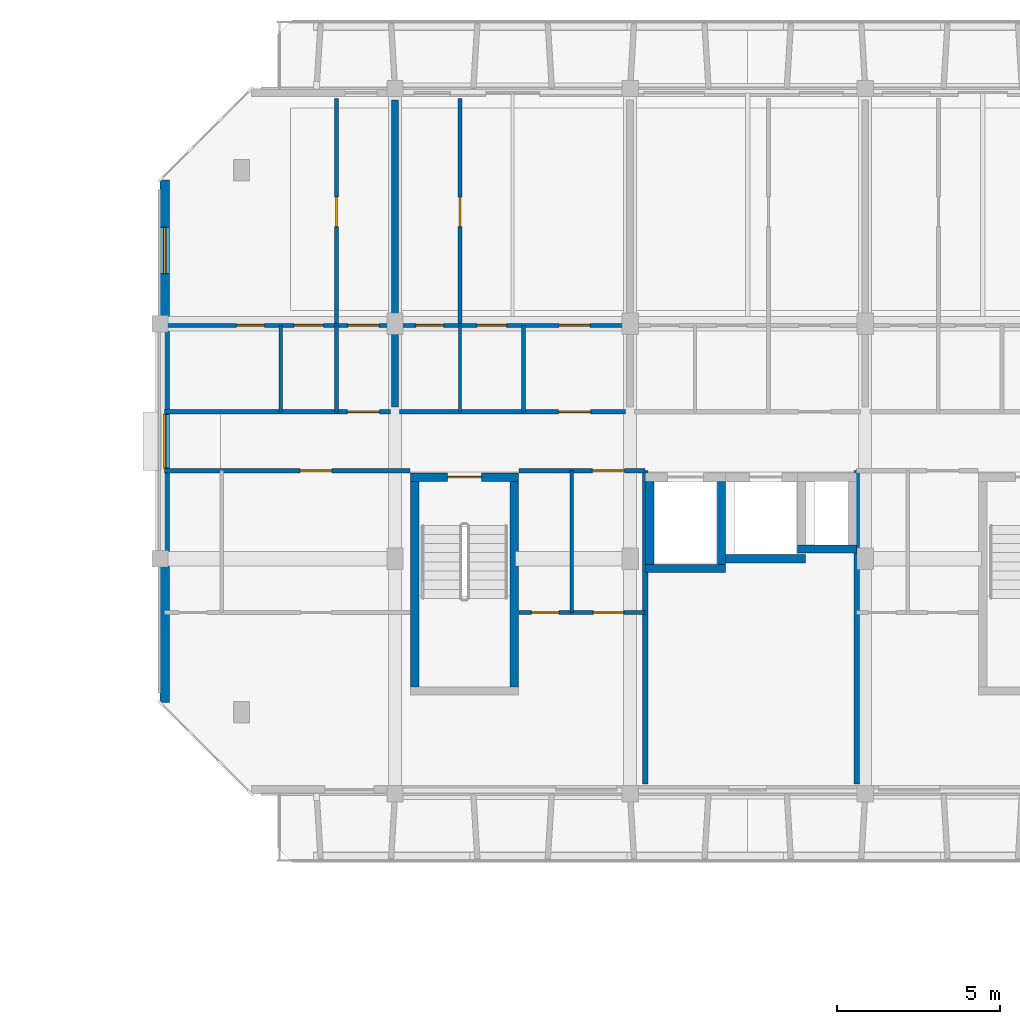
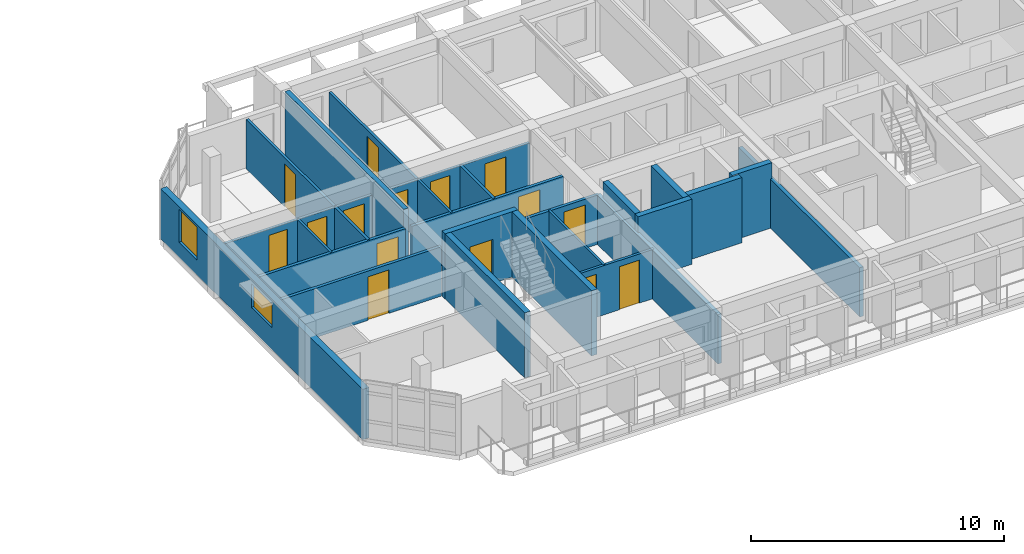
# One storey, part 26 of 40: 26 walls, 15 doors, 2 windows, 17 openings.
"""IFC4 building model written with IfcOpenShell, lengths in metres."""

from ifc_helpers import new_model, si_unit, direction, frame, frame_2d, origin, place, context, subcontext, project, spatial, rectangle, extrude, material, layer, layer_set, type_object, element, fill, save


model = new_model("IFC4")

# Units and contexts
model_context = context("Model", 3, precision=1e-05, world=origin(), true_north=direction((0.0, 1.0)))
body_context = subcontext(model_context, "Body", "Model", "MODEL_VIEW")
ifc_project = project(units=[si_unit("LENGTHUNIT", "METRE"), si_unit("AREAUNIT", "SQUARE_METRE"), si_unit("VOLUMEUNIT", "CUBIC_METRE"), si_unit("PLANEANGLEUNIT", "RADIAN"), si_unit("MASSUNIT", "GRAM", prefix="KILO")], contexts=[model_context])

# Site, building, storey
site_placement = place(None, origin())
site = spatial("IfcSite", under=ifc_project, at=site_placement, CompositionType="ELEMENT")
building_placement = place(site_placement, origin())
building = spatial("IfcBuilding", under=site, at=building_placement, Name="Ochrevale Crest", CompositionType="ELEMENT")
storey_placement = place(building_placement, frame((0.0, 0.0, 27.60009765625)))
storey = spatial("IfcBuildingStorey", under=building, at=storey_placement, Name="L08", CompositionType="ELEMENT", Elevation=27.60009765625)

# Wall, opening, door
ifc_material_1 = material(Name="Gypsum plasterboard", Category="gypsum")
ifc_layer_1 = layer(ifc_material_1, 0.139892578125)
ifc_layer_set_1 = layer_set([ifc_layer_1], Name="Gypsum plasterboard")
wall_type_1 = type_object("IfcWallType", Name="WL-COR-140", PredefinedType="PARTITIONING", material=ifc_layer_set_1)
wall_1_placement = place(storey_placement, frame((129.739990234375, 83.699951171875, 0.0), z_axis=(0.0, 0.0, 1.0), x_axis=(1.0, 0.0, 0.0)))
wall_1 = element("IfcWall", 1, at=wall_1_placement, inside=storey, type_object=wall_type_1, Name="Apartment D-L08-U1 corridor wall", PredefinedType="PARTITIONING", context=body_context, shape_type="SweptSolid", body=[
    extrude(rectangle(XDim=6.919921875, YDim=0.139892578125, at=frame_2d((3.4599609375, 0.0))), origin(), (0.0, 0.0, 1.0), 2.3798828125),
])
opening_1_placement = place(wall_1_placement, frame((6.5849609375, 0.0, 0.0), z_axis=(0.0, 0.0, 1.0), x_axis=(-1.0, 0.0, 0.0)))
opening_1 = element("IfcOpeningElement", 2, at=opening_1_placement, cuts=wall_1, Name="Opening FD01", PredefinedType="OPENING", context=body_context, shape_type="SweptSolid", body=[
    extrude(rectangle(XDim=0.97998046875, YDim=2.10009765625, at=frame_2d((0.489990234375, 1.050048828125))), frame((0.0, 0.080078125, 0.0), z_axis=(0.0, -1.0, 0.0), x_axis=(1.0, 0.0, 0.0)), (0.0, 0.0, 1.0), 0.159912109375),
])
ifc_material_2 = material(Name="Solid-core FSC hardwood", Category="wood")
door_type_1 = type_object("IfcDoorType", Name="DR-APT-950", OperationType="NOTDEFINED", PredefinedType="DOOR", material=ifc_material_2)
door_1_placement = place(opening_1_placement, origin())
door_1 = element("IfcDoor", 3, at=door_1_placement, inside=storey, type_object=door_type_1, Name="Apartment D-L08-U1 entrance door", OperationType="SINGLE_SWING_RIGHT", OverallHeight=2.10009765625, OverallWidth=0.97998046875, PredefinedType="DOOR", context=body_context, shape_type="SweptSolid", body=[
    extrude(rectangle(XDim=0.97998046875, YDim=2.10009765625, at=frame_2d((0.489990234375, 1.050048828125))), frame((0.0, 0.02490234375, 0.0), z_axis=(0.0, -1.0, 0.0), x_axis=(1.0, 0.0, 0.0)), (0.0, 0.0, 1.0), 0.050048828125),
])
fill(opening_1, door_1)

wall_2_placement = place(storey_placement, frame((136.93994140625, 83.699951171875, 0.0), z_axis=(0.0, 0.0, 1.0), x_axis=(1.0, 0.0, 0.0)))
wall_2 = element("IfcWall", 4, at=wall_2_placement, inside=storey, type_object=wall_type_1, Name="Apartment D-L08-U2 corridor wall", PredefinedType="PARTITIONING", context=body_context, shape_type="SweptSolid", body=[
    extrude(rectangle(XDim=6.920166015625, YDim=0.139892578125, at=frame_2d((3.4599609375, 0.0))), origin(), (0.0, 0.0, 1.0), 2.3798828125),
])
opening_2_placement = place(wall_2_placement, frame((4.8701171875, 0.0, 0.0)))
opening_2 = element("IfcOpeningElement", 5, at=opening_2_placement, cuts=wall_2, Name="Opening FD01", PredefinedType="OPENING", context=body_context, shape_type="SweptSolid", body=[
    extrude(rectangle(XDim=0.97998046875, YDim=2.10009765625, at=frame_2d((0.489990234375, 1.050048828125))), frame((0.0, 0.080078125, 0.0), z_axis=(0.0, -1.0, 0.0), x_axis=(1.0, 0.0, 0.0)), (0.0, 0.0, 1.0), 0.159912109375),
])
door_2_placement = place(opening_2_placement, origin())
door_2 = element("IfcDoor", 6, at=door_2_placement, inside=storey, type_object=door_type_1, Name="Apartment D-L08-U2 entrance door", OperationType="SINGLE_SWING_LEFT", OverallHeight=2.10009765625, OverallWidth=0.97998046875, PredefinedType="DOOR", context=body_context, shape_type="SweptSolid", body=[
    extrude(rectangle(XDim=0.97998046875, YDim=2.10009765625, at=frame_2d((0.489990234375, 1.050048828125))), frame((0.0, 0.02490234375, 0.0), z_axis=(0.0, -1.0, 0.0), x_axis=(1.0, 0.0, 0.0)), (0.0, 0.0, 1.0), 0.050048828125),
])
fill(opening_2, door_2)

wall_3_placement = place(storey_placement, frame((129.739990234375, 81.89990234375, 0.0), z_axis=(0.0, 0.0, 1.0), x_axis=(1.0, 0.0, 0.0)))
wall_3 = element("IfcWall", 7, at=wall_3_placement, inside=storey, type_object=wall_type_1, Name="Suite D-L08-CW corridor wall", PredefinedType="PARTITIONING", context=body_context, shape_type="SweptSolid", body=[
    extrude(rectangle(XDim=7.52001953125, YDim=0.139892578125, at=frame_2d((3.760009765625, 0.0))), origin(), (0.0, 0.0, 1.0), 2.3798828125),
])
opening_3_placement = place(wall_3_placement, frame((4.14501953125, 0.0, 0.0)))
opening_3 = element("IfcOpeningElement", 8, at=opening_3_placement, cuts=wall_3, Name="Opening FD01", PredefinedType="OPENING", context=body_context, shape_type="SweptSolid", body=[
    extrude(rectangle(XDim=0.97998046875, YDim=2.10009765625, at=frame_2d((0.489990234375, 1.050048828125))), frame((0.0, 0.080078125, 0.0), z_axis=(0.0, -1.0, 0.0), x_axis=(1.0, 0.0, 0.0)), (0.0, 0.0, 1.0), 0.159912109375),
])
door_3_placement = place(opening_3_placement, origin())
door_3 = element("IfcDoor", 9, at=door_3_placement, inside=storey, type_object=door_type_1, Name="Suite D-L08-CW entrance door", OperationType="SINGLE_SWING_LEFT", OverallHeight=2.10009765625, OverallWidth=0.97998046875, PredefinedType="DOOR", context=body_context, shape_type="SweptSolid", body=[
    extrude(rectangle(XDim=0.97998046875, YDim=2.10009765625, at=frame_2d((0.489990234375, 1.050048828125))), frame((0.0, 0.02490234375, 0.0), z_axis=(0.0, -1.0, 0.0), x_axis=(1.0, 0.0, 0.0)), (0.0, 0.0, 1.0), 0.050048828125),
])
fill(opening_3, door_3)

wall_4_placement = place(storey_placement, frame((140.590087890625, 81.89990234375, 0.0), z_axis=(0.0, 0.0, 1.0), x_axis=(1.0, 0.0, 0.0)))
wall_4 = element("IfcWall", 10, at=wall_4_placement, inside=storey, type_object=wall_type_1, Name="Suite D-L08-MW corridor wall", PredefinedType="PARTITIONING", context=body_context, shape_type="SweptSolid", body=[
    extrude(rectangle(XDim=3.869873046875, YDim=0.139892578125, at=frame_2d((1.93505859375, 0.0))), origin(), (0.0, 0.0, 1.0), 2.3798828125),
])
opening_4_placement = place(wall_4_placement, frame((3.23779296875, 0.0, 0.0), z_axis=(0.0, 0.0, 1.0), x_axis=(-1.0, 0.0, 0.0)))
opening_4 = element("IfcOpeningElement", 11, at=opening_4_placement, cuts=wall_4, Name="Opening FD01", PredefinedType="OPENING", context=body_context, shape_type="SweptSolid", body=[
    extrude(rectangle(XDim=0.97998046875, YDim=2.10009765625, at=frame_2d((0.489990234375, 1.050048828125))), frame((0.0, 0.080078125, 0.0), z_axis=(0.0, -1.0, 0.0), x_axis=(1.0, 0.0, 0.0)), (0.0, 0.0, 1.0), 0.159912109375),
])
door_4_placement = place(opening_4_placement, origin())
door_4 = element("IfcDoor", 12, at=door_4_placement, inside=storey, type_object=door_type_1, Name="Suite D-L08-MW entrance door", OperationType="SINGLE_SWING_RIGHT", OverallHeight=2.10009765625, OverallWidth=0.97998046875, PredefinedType="DOOR", context=body_context, shape_type="SweptSolid", body=[
    extrude(rectangle(XDim=0.97998046875, YDim=2.10009765625, at=frame_2d((0.489990234375, 1.050048828125))), frame((0.0, 0.02490234375, 0.0), z_axis=(0.0, -1.0, 0.0), x_axis=(1.0, 0.0, 0.0)), (0.0, 0.0, 1.0), 0.050048828125),
])
fill(opening_4, door_4)

ifc_material_3 = material(Name="Precast concrete C50/60", Category="concrete")
ifc_layer_2 = layer(ifc_material_3, 0.2548828125)
ifc_layer_set_2 = layer_set([ifc_layer_2], Name="Precast concrete C50/60")
wall_type_2 = type_object("IfcWallType", Name="WL-CORE-255", PredefinedType="SHEAR", material=ifc_layer_set_2)
wall_5_placement = place(storey_placement, frame((137.2724609375, 81.699951171875, 0.0), z_axis=(0.0, 0.0, 1.0), x_axis=(1.0, 0.0, 0.0)))
wall_5 = element("IfcWall", 13, at=wall_5_placement, inside=storey, type_object=wall_type_2, Name="Block D L08 Stair 1 precast core shear wall N", PredefinedType="SHEAR", context=body_context, shape_type="SweptSolid", body=[
    extrude(rectangle(XDim=3.304931640625, YDim=0.2548828125, at=frame_2d((1.65234375, 0.0))), origin(), (0.0, 0.0, 1.0), 3.14990234375),
])
opening_5_placement = place(wall_5_placement, frame((2.177490234375, 0.0, 0.0), z_axis=(0.0, 0.0, 1.0), x_axis=(-1.0, 0.0, 0.0)))
opening_5 = element("IfcOpeningElement", 14, at=opening_5_placement, cuts=wall_5, Name="Opening FD03", PredefinedType="OPENING", context=body_context, shape_type="SweptSolid", body=[
    extrude(rectangle(XDim=1.050048828125, YDim=2.1201171875, at=frame_2d((0.52490234375, 1.06005859375))), frame((0.0, 0.137451171875, 0.0), z_axis=(0.0, -1.0, 0.0), x_axis=(1.0, 0.0, 0.0)), (0.0, 0.0, 1.0), 0.27490234375),
])
door_type_2 = type_object("IfcDoorType", Name="DR-ST-1050", OperationType="NOTDEFINED", PredefinedType="DOOR", material=ifc_material_2)
door_5_placement = place(opening_5_placement, origin())
door_5 = element("IfcDoor", 15, at=door_5_placement, inside=storey, type_object=door_type_2, Name="Block D L08 fire stair 1 door", OperationType="SINGLE_SWING_RIGHT", OverallHeight=2.1201171875, OverallWidth=1.050048828125, PredefinedType="DOOR", context=body_context, shape_type="SweptSolid", body=[
    extrude(rectangle(XDim=1.050048828125, YDim=2.1201171875, at=frame_2d((0.52490234375, 1.06005859375))), frame((0.0, 0.02490234375, 0.0), z_axis=(0.0, -1.0, 0.0), x_axis=(1.0, 0.0, 0.0)), (0.0, 0.0, 1.0), 0.050048828125),
])
fill(opening_5, door_5)

# Walls
for number, where, z_axis, x_axis, name in (
    (16, (137.39990234375, 75.277587890625, 0.0), (0.0, 0.0, 1.0), (0.0, 1.0, 0.0), "Block D L08 Stair 1 precast core shear wall W"),
    (17, (140.449951171875, 75.277587890625, 0.0), (0.0, 0.0, 1.0), (0.0, 1.0, 0.0), "Block D L08 Stair 1 precast core shear wall E"),
):
    element("IfcWall", number, at=place(storey_placement, frame(where, z_axis=z_axis, x_axis=x_axis)), inside=storey, type_object=wall_type_2, Name=name, PredefinedType="SHEAR", context=body_context, shape_type="SweptSolid", body=[
        extrude(rectangle(XDim=6.294921875, YDim=0.2548828125, at=frame_2d((3.1474609375, 0.0))), origin(), (0.0, 0.0, 1.0), 3.14990234375),
    ])
wall_6_placement = place(storey_placement, frame((144.472412109375, 78.89990234375, 0.0), z_axis=(0.0, 0.0, 1.0), x_axis=(1.0, 0.0, 0.0)))
element("IfcWall", 18, at=wall_6_placement, inside=storey, type_object=wall_type_2, Name="Block D L08 Lift 1 precast shaft shear wall S", PredefinedType="SHEAR", context=body_context, shape_type="SweptSolid", body=[
    extrude(rectangle(XDim=2.455078125, YDim=0.2548828125, at=frame_2d((1.2275390625, 0.0))), origin(), (0.0, 0.0, 1.0), 3.14990234375),
])
for number, where, z_axis, x_axis, name in (
    (19, (144.60009765625, 79.027587890625, 0.0), (0.0, 0.0, 1.0), (0.0, 1.0, 0.0), "Block D L08 Lift 1 precast shaft shear wall W"),
    (20, (146.800048828125, 79.027587890625, 0.0), (0.0, 0.0, 1.0), (0.0, 1.0, 0.0), "Block D L08 Lift 1 precast shaft shear wall E"),
):
    element("IfcWall", number, at=place(storey_placement, frame(where, z_axis=z_axis, x_axis=x_axis)), inside=storey, type_object=wall_type_2, Name=name, PredefinedType="SHEAR", context=body_context, shape_type="SweptSolid", body=[
        extrude(rectangle(XDim=2.544921875, YDim=0.2548828125, at=frame_2d((1.2724609375, 0.0))), origin(), (0.0, 0.0, 1.0), 3.14990234375),
    ])
wall_7_placement = place(storey_placement, frame((146.922607421875, 79.199951171875, 0.0), z_axis=(0.0, 0.0, 1.0), x_axis=(1.0, 0.0, 0.0)))
element("IfcWall", 21, at=wall_7_placement, inside=storey, type_object=wall_type_2, Name="Block D L08 Lift 2 precast shaft shear wall S", PredefinedType="SHEAR", context=body_context, shape_type="SweptSolid", body=[
    extrude(rectangle(XDim=2.454833984375, YDim=0.2548828125, at=frame_2d((1.2275390625, 0.0))), origin(), (0.0, 0.0, 1.0), 3.14990234375),
])
wall_8_placement = place(storey_placement, frame((149.12255859375, 79.5, 0.0), z_axis=(0.0, 0.0, 1.0), x_axis=(1.0, 0.0, 0.0)))
element("IfcWall", 22, at=wall_8_placement, inside=storey, type_object=wall_type_2, Name="Block D L08 services riser shaft core wall S", PredefinedType="SHEAR", context=body_context, shape_type="SweptSolid", body=[
    extrude(rectangle(XDim=1.804931640625, YDim=0.2548828125, at=frame_2d((0.90234375, 0.0))), origin(), (0.0, 0.0, 1.0), 3.14990234375),
])

# Wall, openings, windows
ifc_material_4 = material(Name="Clay face brickwork", Category="masonry")
ifc_layer_3 = layer(ifc_material_4, 0.2900390625)
ifc_layer_set_3 = layer_set([ifc_layer_3], Name="Clay face brickwork")
wall_type_3 = type_object("IfcWallType", Name="WL-EXT-BRICK-290", PredefinedType="SOLIDWALL", material=ifc_layer_set_3)
wall_9_placement = place(storey_placement, frame((129.7451171875, 90.800048828125, 0.0), z_axis=(0.0, 0.0, 1.0), x_axis=(0.0, -1.0, 0.0)))
wall_9 = element("IfcWall", 23, at=wall_9_placement, inside=storey, type_object=wall_type_3, Name="Block D L08 external facade wall E7", PredefinedType="SOLIDWALL", context=body_context, shape_type="SweptSolid", body=[
    extrude(rectangle(XDim=16.0, YDim=0.2900390625, at=frame_2d((8.0, 0.0))), origin(), (0.0, 0.0, 1.0), 2.429931640625),
])
opening_6_placement = place(wall_9_placement, frame((7.175048828125, 0.0, 1.050048828125)))
opening_6 = element("IfcOpeningElement", 24, at=opening_6_placement, cuts=wall_9, Name="Opening W19", PredefinedType="OPENING", context=body_context, shape_type="SweptSolid", body=[
    extrude(rectangle(XDim=1.64990234375, YDim=1.14990234375, at=frame_2d((0.824951171875, 0.574951171875))), frame((0.0, 0.155029296875, 0.0), z_axis=(0.0, -1.0, 0.0), x_axis=(1.0, 0.0, 0.0)), (0.0, 0.0, 1.0), 0.31005859375),
])
opening_7_placement = place(wall_9_placement, frame((1.449951171875, 0.0, 0.719970703125)))
opening_7 = element("IfcOpeningElement", 25, at=opening_7_placement, cuts=wall_9, Name="Opening W31", PredefinedType="OPENING", context=body_context, shape_type="SweptSolid", body=[
    extrude(rectangle(XDim=1.419921875, YDim=1.60009765625, at=frame_2d((0.7099609375, 0.800048828125))), frame((0.0, 0.155029296875, 0.0), z_axis=(0.0, -1.0, 0.0), x_axis=(1.0, 0.0, 0.0)), (0.0, 0.0, 1.0), 0.31005859375),
])
ifc_material_5 = material(Name="Anodised aluminium 6063-T5 and low-E double glazing", Category="aluminium")
window_type_1 = type_object("IfcWindowType", Name="WIN-W19", PartitioningType="SINGLE_PANEL", PredefinedType="WINDOW", material=ifc_material_5)
window_1_placement = place(opening_6_placement, origin())
window_1 = element("IfcWindow", 26, at=window_1_placement, inside=storey, type_object=window_type_1, Name="Block D L08 corridor end daylight window W", OverallHeight=1.14990234375, OverallWidth=1.64990234375, PartitioningType="SINGLE_PANEL", PredefinedType="WINDOW", context=body_context, shape_type="SweptSolid", body=[
    extrude(rectangle(XDim=1.64990234375, YDim=1.14990234375, at=frame_2d((0.824951171875, 0.574951171875))), frame((0.0, 0.030029296875, 0.0), z_axis=(0.0, -1.0, 0.0), x_axis=(1.0, 0.0, 0.0)), (0.0, 0.0, 1.0), 0.06005859375),
])
fill(opening_6, window_1)
window_type_2 = type_object("IfcWindowType", Name="WIN-W31", PartitioningType="SINGLE_PANEL", PredefinedType="WINDOW", material=ifc_material_5)
window_2_placement = place(opening_7_placement, origin())
window_2 = element("IfcWindow", 27, at=window_2_placement, inside=storey, type_object=window_type_2, Name="Block D L08 side suite window W", OverallHeight=1.60009765625, OverallWidth=1.419921875, PartitioningType="SINGLE_PANEL", PredefinedType="WINDOW", context=body_context, shape_type="SweptSolid", body=[
    extrude(rectangle(XDim=1.419921875, YDim=1.60009765625, at=frame_2d((0.7099609375, 0.800048828125))), frame((0.0, 0.030029296875, 0.0), z_axis=(0.0, -1.0, 0.0), x_axis=(1.0, 0.0, 0.0)), (0.0, 0.0, 1.0), 0.06005859375),
])
fill(opening_7, window_2)

# Wall
ifc_layer_4 = layer(ifc_material_1, 0.1201171875)
ifc_layer_set_4 = layer_set([ifc_layer_4], Name="Gypsum plasterboard")
wall_type_4 = type_object("IfcWallType", Name="WL-PART-120", PredefinedType="PARTITIONING", material=ifc_layer_set_4)
wall_10_placement = place(storey_placement, frame((135.010009765625, 83.699951171875, 0.0), z_axis=(0.0, 0.0, 1.0), x_axis=(0.0, 1.0, 0.0)))
element("IfcWall", 28, at=wall_10_placement, inside=storey, type_object=wall_type_4, Name="Apartment D-L08-U1 kitchen-foyer wall", PredefinedType="PARTITIONING", context=body_context, shape_type="SweptSolid", body=[
    extrude(rectangle(XDim=2.650146484375, YDim=0.1201171875, at=frame_2d((1.3251953125, 0.0))), origin(), (0.0, 0.0, 1.0), 2.3798828125),
])

# Wall, openings, doors
wall_11_placement = place(storey_placement, frame((129.739990234375, 86.35009765625, 0.0), z_axis=(0.0, 0.0, 1.0), x_axis=(1.0, 0.0, 0.0)))
wall_11 = element("IfcWall", 29, at=wall_11_placement, inside=storey, type_object=wall_type_4, Name="Apartment D-L08-U1 central partition", PredefinedType="PARTITIONING", context=body_context, shape_type="SweptSolid", body=[
    extrude(rectangle(XDim=6.919921875, YDim=0.1201171875, at=frame_2d((3.4599609375, 0.0))), origin(), (0.0, 0.0, 1.0), 2.3798828125),
])
opening_8_placement = place(wall_11_placement, frame((2.2099609375, 0.0, 0.0)))
opening_8 = element("IfcOpeningElement", 30, at=opening_8_placement, cuts=wall_11, Name="Opening ID01", PredefinedType="OPENING", context=body_context, shape_type="SweptSolid", body=[
    extrude(rectangle(XDim=0.85009765625, YDim=2.080078125, at=frame_2d((0.425048828125, 1.0400390625))), frame((0.0, 0.070068359375, 0.0), z_axis=(0.0, -1.0, 0.0), x_axis=(1.0, 0.0, 0.0)), (0.0, 0.0, 1.0), 0.14013671875),
])
opening_9_placement = place(wall_11_placement, frame((4.864990234375, 0.0, 0.0), z_axis=(0.0, 0.0, 1.0), x_axis=(-1.0, 0.0, 0.0)))
opening_9 = element("IfcOpeningElement", 31, at=opening_9_placement, cuts=wall_11, Name="Opening ID02", PredefinedType="OPENING", context=body_context, shape_type="SweptSolid", body=[
    extrude(rectangle(XDim=0.89990234375, YDim=2.080078125, at=frame_2d((0.449951171875, 1.0400390625))), frame((0.0, 0.070068359375, 0.0), z_axis=(0.0, -1.0, 0.0), x_axis=(1.0, 0.0, 0.0)), (0.0, 0.0, 1.0), 0.14013671875),
])
opening_10_placement = place(wall_11_placement, frame((5.6201171875, 0.0, 0.0)))
opening_10 = element("IfcOpeningElement", 32, at=opening_10_placement, cuts=wall_11, Name="Opening ID06", PredefinedType="OPENING", context=body_context, shape_type="SweptSolid", body=[
    extrude(rectangle(XDim=0.949951171875, YDim=2.080078125, at=frame_2d((0.47509765625, 1.0400390625))), frame((0.0, 0.070068359375, 0.0), z_axis=(0.0, -1.0, 0.0), x_axis=(1.0, 0.0, 0.0)), (0.0, 0.0, 1.0), 0.14013671875),
])
door_type_3 = type_object("IfcDoorType", Name="DR-INT-900", OperationType="NOTDEFINED", PredefinedType="DOOR", material=ifc_material_2)
door_6_placement = place(opening_9_placement, origin())
door_6 = element("IfcDoor", 33, at=door_6_placement, inside=storey, type_object=door_type_3, Name="Apartment D-L08-U1 Kitchen door", OperationType="SINGLE_SWING_RIGHT", OverallHeight=2.080078125, OverallWidth=0.89990234375, PredefinedType="DOOR", context=body_context, shape_type="SweptSolid", body=[
    extrude(rectangle(XDim=0.89990234375, YDim=2.080078125, at=frame_2d((0.449951171875, 1.0400390625))), frame((0.0, 0.02490234375, 0.0), z_axis=(0.0, -1.0, 0.0), x_axis=(1.0, 0.0, 0.0)), (0.0, 0.0, 1.0), 0.050048828125),
])
fill(opening_9, door_6)
door_type_4 = type_object("IfcDoorType", Name="DR-INT-950", OperationType="NOTDEFINED", PredefinedType="DOOR", material=ifc_material_2)
door_7_placement = place(opening_10_placement, origin())
door_7 = element("IfcDoor", 34, at=door_7_placement, inside=storey, type_object=door_type_4, Name="Apartment D-L08-U1 Living Foyer door", OperationType="SINGLE_SWING_LEFT", OverallHeight=2.080078125, OverallWidth=0.949951171875, PredefinedType="DOOR", context=body_context, shape_type="SweptSolid", body=[
    extrude(rectangle(XDim=0.949951171875, YDim=2.080078125, at=frame_2d((0.47509765625, 1.0400390625))), frame((0.0, 0.02490234375, 0.0), z_axis=(0.0, -1.0, 0.0), x_axis=(1.0, 0.0, 0.0)), (0.0, 0.0, 1.0), 0.050048828125),
])
fill(opening_10, door_7)
door_type_5 = type_object("IfcDoorType", Name="DR-WC-850", OperationType="NOTDEFINED", PredefinedType="DOOR", material=ifc_material_2)
door_8_placement = place(opening_8_placement, origin())
door_8 = element("IfcDoor", 35, at=door_8_placement, inside=storey, type_object=door_type_5, Name="Apartment D-L08-U1 Bathroom door", OperationType="SINGLE_SWING_LEFT", OverallHeight=2.080078125, OverallWidth=0.85009765625, PredefinedType="DOOR", context=body_context, shape_type="SweptSolid", body=[
    extrude(rectangle(XDim=0.85009765625, YDim=2.080078125, at=frame_2d((0.425048828125, 1.0400390625))), frame((0.0, 0.02490234375, 0.0), z_axis=(0.0, -1.0, 0.0), x_axis=(1.0, 0.0, 0.0)), (0.0, 0.0, 1.0), 0.050048828125),
])
fill(opening_8, door_8)

# Wall, opening, door
wall_12_placement = place(storey_placement, frame((135.010009765625, 86.35009765625, 0.0), z_axis=(0.0, 0.0, 1.0), x_axis=(0.0, 1.0, 0.0)))
wall_12 = element("IfcWall", 36, at=wall_12_placement, inside=storey, type_object=wall_type_4, Name="Apartment D-L08-U1 bedroom partition", PredefinedType="PARTITIONING", context=body_context, shape_type="SweptSolid", body=[
    extrude(rectangle(XDim=6.949951171875, YDim=0.1201171875, at=frame_2d((3.47509765625, 0.0))), origin(), (0.0, 0.0, 1.0), 2.3798828125),
])
opening_11_placement = place(wall_12_placement, frame((3.9248046875, 0.0, 0.0), z_axis=(0.0, 0.0, 1.0), x_axis=(-1.0, 0.0, 0.0)))
opening_11 = element("IfcOpeningElement", 37, at=opening_11_placement, cuts=wall_12, Name="Opening ID02", PredefinedType="OPENING", context=body_context, shape_type="SweptSolid", body=[
    extrude(rectangle(XDim=0.89990234375, YDim=2.080078125, at=frame_2d((0.449951171875, 1.0400390625))), frame((0.0, 0.070068359375, 0.0), z_axis=(0.0, -1.0, 0.0), x_axis=(1.0, 0.0, 0.0)), (0.0, 0.0, 1.0), 0.14013671875),
])
door_9_placement = place(opening_11_placement, origin())
door_9 = element("IfcDoor", 38, at=door_9_placement, inside=storey, type_object=door_type_3, Name="Apartment D-L08-U1 Twin Bedroom door", OperationType="SINGLE_SWING_RIGHT", OverallHeight=2.080078125, OverallWidth=0.89990234375, PredefinedType="DOOR", context=body_context, shape_type="SweptSolid", body=[
    extrude(rectangle(XDim=0.89990234375, YDim=2.080078125, at=frame_2d((0.449951171875, 1.0400390625))), frame((0.0, 0.02490234375, 0.0), z_axis=(0.0, -1.0, 0.0), x_axis=(1.0, 0.0, 0.0)), (0.0, 0.0, 1.0), 0.050048828125),
])
fill(opening_11, door_9)

# Wall
wall_13_placement = place(storey_placement, frame((140.739990234375, 83.699951171875, 0.0), z_axis=(0.0, 0.0, 1.0), x_axis=(0.0, 1.0, 0.0)))
element("IfcWall", 39, at=wall_13_placement, inside=storey, type_object=wall_type_4, Name="Apartment D-L08-U2 kitchen-foyer wall", PredefinedType="PARTITIONING", context=body_context, shape_type="SweptSolid", body=[
    extrude(rectangle(XDim=2.650146484375, YDim=0.1201171875, at=frame_2d((1.3251953125, 0.0))), origin(), (0.0, 0.0, 1.0), 2.3798828125),
])

# Wall, openings, doors
wall_14_placement = place(storey_placement, frame((136.93994140625, 86.35009765625, 0.0), z_axis=(0.0, 0.0, 1.0), x_axis=(1.0, 0.0, 0.0)))
wall_14 = element("IfcWall", 40, at=wall_14_placement, inside=storey, type_object=wall_type_4, Name="Apartment D-L08-U2 central partition", PredefinedType="PARTITIONING", context=body_context, shape_type="SweptSolid", body=[
    extrude(rectangle(XDim=6.920166015625, YDim=0.1201171875, at=frame_2d((3.4599609375, 0.0))), origin(), (0.0, 0.0, 1.0), 2.3798828125),
])
opening_12_placement = place(wall_14_placement, frame((1.35009765625, 0.0, 0.0), z_axis=(0.0, 0.0, 1.0), x_axis=(-1.0, 0.0, 0.0)))
opening_12 = element("IfcOpeningElement", 41, at=opening_12_placement, cuts=wall_14, Name="Opening ID01", PredefinedType="OPENING", context=body_context, shape_type="SweptSolid", body=[
    extrude(rectangle(XDim=0.85009765625, YDim=2.080078125, at=frame_2d((0.425048828125, 1.0400390625))), frame((0.0, 0.070068359375, 0.0), z_axis=(0.0, -1.0, 0.0), x_axis=(1.0, 0.0, 0.0)), (0.0, 0.0, 1.0), 0.14013671875),
])
opening_13_placement = place(wall_14_placement, frame((2.375, 0.0, 0.0)))
opening_13 = element("IfcOpeningElement", 42, at=opening_13_placement, cuts=wall_14, Name="Opening ID02", PredefinedType="OPENING", context=body_context, shape_type="SweptSolid", body=[
    extrude(rectangle(XDim=0.89990234375, YDim=2.080078125, at=frame_2d((0.449951171875, 1.0400390625))), frame((0.0, 0.070068359375, 0.0), z_axis=(0.0, -1.0, 0.0), x_axis=(1.0, 0.0, 0.0)), (0.0, 0.0, 1.0), 0.14013671875),
])
opening_14_placement = place(wall_14_placement, frame((5.8349609375, 0.0, 0.0), z_axis=(0.0, 0.0, 1.0), x_axis=(-1.0, 0.0, 0.0)))
opening_14 = element("IfcOpeningElement", 43, at=opening_14_placement, cuts=wall_14, Name="Opening ID06", PredefinedType="OPENING", context=body_context, shape_type="SweptSolid", body=[
    extrude(rectangle(XDim=0.949951171875, YDim=2.080078125, at=frame_2d((0.47509765625, 1.0400390625))), frame((0.0, 0.070068359375, 0.0), z_axis=(0.0, -1.0, 0.0), x_axis=(1.0, 0.0, 0.0)), (0.0, 0.0, 1.0), 0.14013671875),
])
door_10_placement = place(opening_13_placement, origin())
door_10 = element("IfcDoor", 44, at=door_10_placement, inside=storey, type_object=door_type_3, Name="Apartment D-L08-U2 Kitchen door", OperationType="SINGLE_SWING_LEFT", OverallHeight=2.080078125, OverallWidth=0.89990234375, PredefinedType="DOOR", context=body_context, shape_type="SweptSolid", body=[
    extrude(rectangle(XDim=0.89990234375, YDim=2.080078125, at=frame_2d((0.449951171875, 1.0400390625))), frame((0.0, 0.02490234375, 0.0), z_axis=(0.0, -1.0, 0.0), x_axis=(1.0, 0.0, 0.0)), (0.0, 0.0, 1.0), 0.050048828125),
])
fill(opening_13, door_10)
door_11_placement = place(opening_14_placement, origin())
door_11 = element("IfcDoor", 45, at=door_11_placement, inside=storey, type_object=door_type_4, Name="Apartment D-L08-U2 Living Foyer door", OperationType="SINGLE_SWING_RIGHT", OverallHeight=2.080078125, OverallWidth=0.949951171875, PredefinedType="DOOR", context=body_context, shape_type="SweptSolid", body=[
    extrude(rectangle(XDim=0.949951171875, YDim=2.080078125, at=frame_2d((0.47509765625, 1.0400390625))), frame((0.0, 0.02490234375, 0.0), z_axis=(0.0, -1.0, 0.0), x_axis=(1.0, 0.0, 0.0)), (0.0, 0.0, 1.0), 0.050048828125),
])
fill(opening_14, door_11)
door_12_placement = place(opening_12_placement, origin())
door_12 = element("IfcDoor", 46, at=door_12_placement, inside=storey, type_object=door_type_5, Name="Apartment D-L08-U2 Bathroom door", OperationType="SINGLE_SWING_RIGHT", OverallHeight=2.080078125, OverallWidth=0.85009765625, PredefinedType="DOOR", context=body_context, shape_type="SweptSolid", body=[
    extrude(rectangle(XDim=0.85009765625, YDim=2.080078125, at=frame_2d((0.425048828125, 1.0400390625))), frame((0.0, 0.02490234375, 0.0), z_axis=(0.0, -1.0, 0.0), x_axis=(1.0, 0.0, 0.0)), (0.0, 0.0, 1.0), 0.050048828125),
])
fill(opening_12, door_12)

# Wall, opening, door
wall_15_placement = place(storey_placement, frame((138.7900390625, 86.35009765625, 0.0), z_axis=(0.0, 0.0, 1.0), x_axis=(0.0, 1.0, 0.0)))
wall_15 = element("IfcWall", 47, at=wall_15_placement, inside=storey, type_object=wall_type_4, Name="Apartment D-L08-U2 bedroom partition", PredefinedType="PARTITIONING", context=body_context, shape_type="SweptSolid", body=[
    extrude(rectangle(XDim=6.949951171875, YDim=0.1201171875, at=frame_2d((3.47509765625, 0.0))), origin(), (0.0, 0.0, 1.0), 2.3798828125),
])
opening_15_placement = place(wall_15_placement, frame((3.02490234375, 0.0, 0.0)))
opening_15 = element("IfcOpeningElement", 48, at=opening_15_placement, cuts=wall_15, Name="Opening ID02", PredefinedType="OPENING", context=body_context, shape_type="SweptSolid", body=[
    extrude(rectangle(XDim=0.89990234375, YDim=2.080078125, at=frame_2d((0.449951171875, 1.0400390625))), frame((0.0, 0.070068359375, 0.0), z_axis=(0.0, -1.0, 0.0), x_axis=(1.0, 0.0, 0.0)), (0.0, 0.0, 1.0), 0.14013671875),
])
door_13_placement = place(opening_15_placement, origin())
door_13 = element("IfcDoor", 49, at=door_13_placement, inside=storey, type_object=door_type_3, Name="Apartment D-L08-U2 Double Bedroom door", OperationType="SINGLE_SWING_LEFT", OverallHeight=2.080078125, OverallWidth=0.89990234375, PredefinedType="DOOR", context=body_context, shape_type="SweptSolid", body=[
    extrude(rectangle(XDim=0.89990234375, YDim=2.080078125, at=frame_2d((0.449951171875, 1.0400390625))), frame((0.0, 0.02490234375, 0.0), z_axis=(0.0, -1.0, 0.0), x_axis=(1.0, 0.0, 0.0)), (0.0, 0.0, 1.0), 0.050048828125),
])
fill(opening_15, door_13)

# Wall, openings, doors
wall_16_placement = place(storey_placement, frame((140.590087890625, 77.550048828125, 0.0), z_axis=(0.0, 0.0, 1.0), x_axis=(1.0, 0.0, 0.0)))
wall_16 = element("IfcWall", 50, at=wall_16_placement, inside=storey, type_object=wall_type_4, Name="Suite D-L08-MW internal wall", PredefinedType="PARTITIONING", context=body_context, shape_type="SweptSolid", body=[
    extrude(rectangle(XDim=3.869873046875, YDim=0.1201171875, at=frame_2d((1.93505859375, 0.0))), origin(), (0.0, 0.0, 1.0), 2.3798828125),
])
opening_16_placement = place(wall_16_placement, frame((0.3876953125, 0.0, 0.0)))
opening_16 = element("IfcOpeningElement", 51, at=opening_16_placement, cuts=wall_16, Name="Opening ID01", PredefinedType="OPENING", context=body_context, shape_type="SweptSolid", body=[
    extrude(rectangle(XDim=0.85009765625, YDim=2.080078125, at=frame_2d((0.425048828125, 1.0400390625))), frame((0.0, 0.070068359375, 0.0), z_axis=(0.0, -1.0, 0.0), x_axis=(1.0, 0.0, 0.0)), (0.0, 0.0, 1.0), 0.14013671875),
])
opening_17_placement = place(wall_16_placement, frame((3.20751953125, 0.0, 0.0), z_axis=(0.0, 0.0, 1.0), x_axis=(-1.0, 0.0, 0.0)))
opening_17 = element("IfcOpeningElement", 52, at=opening_17_placement, cuts=wall_16, Name="Opening ID04", PredefinedType="OPENING", context=body_context, shape_type="SweptSolid", body=[
    extrude(rectangle(XDim=0.919921875, YDim=2.080078125, at=frame_2d((0.4599609375, 1.0400390625))), frame((0.0, 0.070068359375, 0.0), z_axis=(0.0, -1.0, 0.0), x_axis=(1.0, 0.0, 0.0)), (0.0, 0.0, 1.0), 0.14013671875),
])
door_type_6 = type_object("IfcDoorType", Name="DR-INT-920", OperationType="NOTDEFINED", PredefinedType="DOOR", material=ifc_material_2)
door_14_placement = place(opening_17_placement, origin())
door_14 = element("IfcDoor", 53, at=door_14_placement, inside=storey, type_object=door_type_6, Name="Suite D-L08-MW Courtyard Studio Living door", OperationType="SINGLE_SWING_RIGHT", OverallHeight=2.080078125, OverallWidth=0.919921875, PredefinedType="DOOR", context=body_context, shape_type="SweptSolid", body=[
    extrude(rectangle(XDim=0.919921875, YDim=2.080078125, at=frame_2d((0.4599609375, 1.0400390625))), frame((0.0, 0.02490234375, 0.0), z_axis=(0.0, -1.0, 0.0), x_axis=(1.0, 0.0, 0.0)), (0.0, 0.0, 1.0), 0.050048828125),
])
fill(opening_17, door_14)
door_15_placement = place(opening_16_placement, origin())
door_15 = element("IfcDoor", 54, at=door_15_placement, inside=storey, type_object=door_type_5, Name="Suite D-L08-MW Bathroom door", OperationType="SINGLE_SWING_LEFT", OverallHeight=2.080078125, OverallWidth=0.85009765625, PredefinedType="DOOR", context=body_context, shape_type="SweptSolid", body=[
    extrude(rectangle(XDim=0.85009765625, YDim=2.080078125, at=frame_2d((0.425048828125, 1.0400390625))), frame((0.0, 0.02490234375, 0.0), z_axis=(0.0, -1.0, 0.0), x_axis=(1.0, 0.0, 0.0)), (0.0, 0.0, 1.0), 0.050048828125),
])
fill(opening_16, door_15)

# Walls
ifc_material_6 = material(Name="Precast concrete C40/50", Category="concrete")
ifc_layer_5 = layer(ifc_material_6, 0.2099609375)
ifc_layer_set_5 = layer_set([ifc_layer_5], Name="Precast concrete C40/50")
wall_type_5 = type_object("IfcWallType", Name="WL-SHEAR-210", PredefinedType="SHEAR", material=ifc_layer_set_5)
wall_17_placement = place(storey_placement, frame((136.800048828125, 83.85009765625, 0.0), z_axis=(0.0, 0.0, 1.0), x_axis=(0.0, 1.0, 0.0)))
element("IfcWall", 55, at=wall_17_placement, inside=storey, type_object=wall_type_5, Name="Block D L08 load-bearing precast cross-wall X=136.8", PredefinedType="SHEAR", context=body_context, shape_type="SweptSolid", body=[
    extrude(rectangle(XDim=9.39990234375, YDim=0.2099609375, at=frame_2d((4.699951171875, 0.0))), origin(), (0.0, 0.0, 1.0), 3.14990234375),
])
ifc_layer_6 = layer(ifc_material_1, 0.169921875)
ifc_layer_set_6 = layer_set([ifc_layer_6], Name="Gypsum plasterboard")
wall_type_6 = type_object("IfcWallType", Name="WL-TEN-170", PredefinedType="PARTITIONING", material=ifc_layer_set_6)
for number, where, z_axis, x_axis, name in (
    (56, (144.4599609375, 72.300048828125, 0.0), (0.0, 0.0, 1.0), (0.0, 1.0, 0.0), "Suite D-L08-MW east party wall"),
    (57, (150.93994140625, 72.300048828125, 0.0), (0.0, 0.0, 1.0), (0.0, 1.0, 0.0), "Suite D-L08-ME west party wall"),
):
    element("IfcWall", number, at=place(storey_placement, frame(where, z_axis=z_axis, x_axis=x_axis)), inside=storey, type_object=wall_type_6, Name=name, PredefinedType="PARTITIONING", context=body_context, shape_type="SweptSolid", body=[
        extrude(rectangle(XDim=9.599853515625, YDim=0.169921875, at=frame_2d((4.7998046875, 0.0))), origin(), (0.0, 0.0, 1.0), 2.3798828125),
    ])
ifc_layer_7 = layer(ifc_material_1, 0.10009765625)
ifc_layer_set_7 = layer_set([ifc_layer_7], Name="Gypsum plasterboard")
wall_type_7 = type_object("IfcWallType", Name="WL-WET-100", PredefinedType="PARTITIONING", material=ifc_layer_set_7)
for number, where, z_axis, x_axis, name in (
    (58, (133.300048828125, 83.699951171875, 0.0), (0.0, 0.0, 1.0), (0.0, 1.0, 0.0), "Apartment D-L08-U1 bath-kitchen wall"),
    (59, (138.7900390625, 83.699951171875, 0.0), (0.0, 0.0, 1.0), (0.0, 1.0, 0.0), "Apartment D-L08-U2 bath-kitchen wall"),
):
    element("IfcWall", number, at=place(storey_placement, frame(where, z_axis=z_axis, x_axis=x_axis)), inside=storey, type_object=wall_type_7, Name=name, PredefinedType="PARTITIONING", context=body_context, shape_type="SweptSolid", body=[
        extrude(rectangle(XDim=2.650146484375, YDim=0.10009765625, at=frame_2d((1.3251953125, 0.0))), origin(), (0.0, 0.0, 1.0), 2.3798828125),
    ])
wall_18_placement = place(storey_placement, frame((142.21533203125, 77.550048828125, 0.0), z_axis=(0.0, 0.0, 1.0), x_axis=(0.0, 1.0, 0.0)))
element("IfcWall", 60, at=wall_18_placement, inside=storey, type_object=wall_type_7, Name="Suite D-L08-MW bathroom divider", PredefinedType="PARTITIONING", context=body_context, shape_type="SweptSolid", body=[
    extrude(rectangle(XDim=4.349853515625, YDim=0.10009765625, at=frame_2d((2.1748046875, 0.0))), origin(), (0.0, 0.0, 1.0), 2.3798828125),
])

save(model, "model.ifc")
